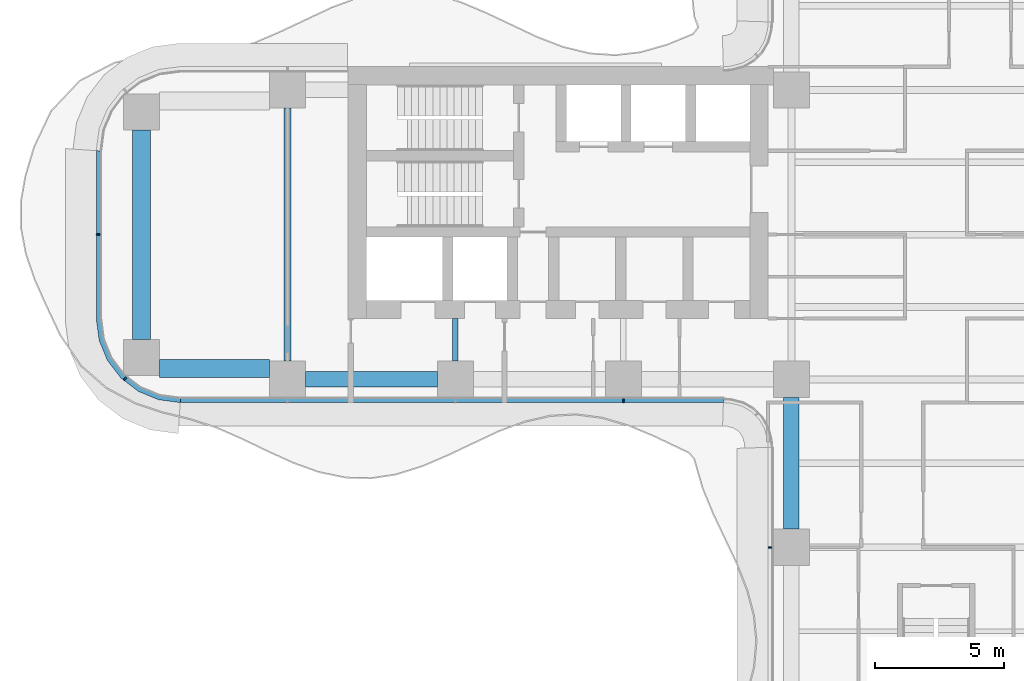
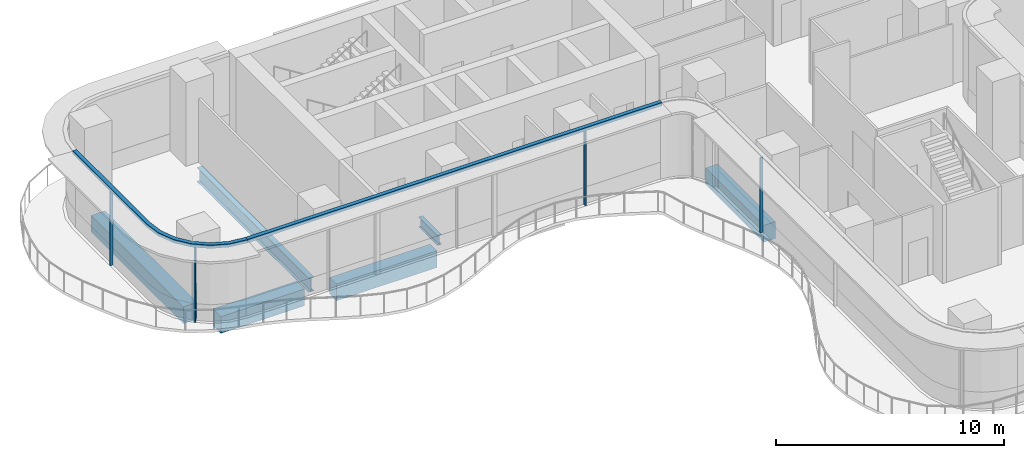
# One storey, part 3 of 22: 6 beams, 6 members, 3 elements without a shape of their own.
"""IFC4 building model written with IfcOpenShell, lengths in metres."""

from ifc_helpers import new_model, si_unit, direction, frame, origin, origin_2d, place, context, subcontext, project, spatial, polyline, rectangle, i_section, outline, extrude, source, transform, mapped, material, layer, layer_set, material_profile, profile_set, type_object, element, aggregate, save


model = new_model("IFC4")

# Units and contexts
model_context = context("Model", 3, precision=1e-05, world=origin(), true_north=direction((0.0, 1.0)))
body_context = subcontext(model_context, "Body", "Model", "MODEL_VIEW")
ifc_project = project(units=[si_unit("LENGTHUNIT", "METRE"), si_unit("AREAUNIT", "SQUARE_METRE"), si_unit("VOLUMEUNIT", "CUBIC_METRE"), si_unit("PLANEANGLEUNIT", "RADIAN"), si_unit("MASSUNIT", "GRAM", prefix="KILO")], contexts=[model_context])

# Site, building, storey
site_placement = place(None, origin())
site = spatial("IfcSite", under=ifc_project, at=site_placement, CompositionType="ELEMENT")
building_placement = place(site_placement, origin())
building = spatial("IfcBuilding", under=site, at=building_placement, Name="Trellis Farm Tower", CompositionType="ELEMENT")
storey_placement = place(building_placement, frame((0.0, 0.0, 88.0)))
storey = spatial("IfcBuildingStorey", under=building, at=storey_placement, Name="L18", CompositionType="ELEMENT", Elevation=88.0)

# Beams
ifc_material_1 = material(Name="Concrete C60/75", Category="concrete")
ifc_material_profile_1 = material_profile(ifc_material_1, rectangle(XDim=0.60009765625, YDim=0.89990234375, at=origin_2d()), Name="RC spandrel beam 600x900 C60/75")
ifc_profile_set_1 = profile_set([ifc_material_profile_1], Name="Concrete C60/75")
beam_type_1 = type_object("IfcBeamType", Name="RC spandrel beam 600x900 C60/75", PredefinedType="SPANDREL", material=ifc_profile_set_1)
shared_shape_1 = source(origin(), body_context, "Body", "SweptSolid", [
    extrude(rectangle(XDim=0.60009765625, YDim=0.89990234375, at=origin_2d()), origin(), (0.0, 0.0, 1.0), 5.099853515625),
])
for number, where, z_axis, x_axis, name in (
    (1, (-24.39990234375, -5.60009765625, -0.699951171875), (1.0, 0.0, 0.0), (0.0, 1.0, 0.0), "Girder"),
    (2, (-5.60009765625, -11.39990234375, -0.699951171875), (0.0, 1.0, 0.0), (-1.0, 0.0, 0.0), "Girder"),
):
    element("IfcBeam", number, at=place(storey_placement, frame(where, z_axis=z_axis, x_axis=x_axis)), inside=storey, type_object=beam_type_1, Name=name, PredefinedType="SPANDREL", context=body_context, shape_type="MappedRepresentation", body=[
        mapped(shared_shape_1, transform((0.0, 0.0, 0.0))),
    ])
ifc_material_2 = material(Name="Steel S355", Category="steel")
ifc_material_profile_2 = material_profile(ifc_material_2, i_section(OverallWidth=0.2666015625, OverallDepth=0.76220703125, WebThickness=0.014404296875, FlangeThickness=0.021484375, FilletRadius=0.0166015625, at=origin_2d()), Name="UB 762x267x173")
ifc_profile_set_2 = profile_set([ifc_material_profile_2], Name="Steel S355")
beam_type_2 = type_object("IfcBeamType", Name="UB 762x267x173", PredefinedType="BEAM", material=ifc_profile_set_2)
shared_shape_2 = source(origin(), body_context, "Body", "SweptSolid", [
    extrude(i_section(OverallWidth=0.2666015625, OverallDepth=0.76220703125, WebThickness=0.014404296875, FlangeThickness=0.021484375, FilletRadius=0.0166015625, at=origin_2d()), origin(), (0.0, 0.0, 1.0), 9.7998046875),
])
beam_1_placement = place(storey_placement, frame((-25.10009765625, -4.89990234375, -0.631103515625), z_axis=(0.0, 1.0, 0.0), x_axis=(-1.0, 0.0, 0.0)))
element("IfcBeam", 3, at=beam_1_placement, inside=storey, type_object=beam_type_2, Name="Girder", PredefinedType="BEAM", context=body_context, shape_type="MappedRepresentation", body=[
    mapped(shared_shape_2, transform((0.0, 0.0, 0.0))),
])
ifc_material_profile_3 = material_profile(ifc_material_1, rectangle(XDim=0.699951171875, YDim=0.89990234375, at=origin_2d()), Name="RC spandrel beam 700x900 C60/75")
ifc_profile_set_3 = profile_set([ifc_material_profile_3], Name="Concrete C60/75")
beam_type_3 = type_object("IfcBeamType", Name="RC spandrel beam 700x900 C60/75", PredefinedType="SPANDREL", material=ifc_profile_set_3)
shared_shape_3 = source(origin(), body_context, "Body", "SweptSolid", [
    extrude(rectangle(XDim=0.699951171875, YDim=0.89990234375, at=origin_2d()), origin(), (0.0, 0.0, 1.0), 4.25),
])
beam_2_placement = place(storey_placement, frame((-30.050048828125, -5.175048828125, -0.699951171875), z_axis=(1.0, 0.0, 0.0), x_axis=(0.0, 1.0, 0.0)))
element("IfcBeam", 4, at=beam_2_placement, inside=storey, type_object=beam_type_3, Name="Girder", PredefinedType="SPANDREL", context=body_context, shape_type="MappedRepresentation", body=[
    mapped(shared_shape_3, transform((0.0, 0.0, 0.0))),
])
shared_shape_4 = source(origin(), body_context, "Body", "SweptSolid", [
    extrude(rectangle(XDim=0.699951171875, YDim=0.89990234375, at=origin_2d()), origin(), (0.0, 0.0, 1.0), 8.10009765625),
])
beam_3_placement = place(storey_placement, frame((-30.75, -4.050048828125, -0.699951171875), z_axis=(0.0, 1.0, 0.0), x_axis=(-1.0, 0.0, 0.0)))
element("IfcBeam", 5, at=beam_3_placement, inside=storey, type_object=beam_type_3, Name="Girder", PredefinedType="SPANDREL", context=body_context, shape_type="MappedRepresentation", body=[
    mapped(shared_shape_4, transform((0.0, 0.0, 0.0))),
])
ifc_material_profile_4 = material_profile(ifc_material_2, i_section(OverallWidth=0.209228515625, OverallDepth=0.533203125, WebThickness=0.010009765625, FlangeThickness=0.015625, FilletRadius=0.0126953125, at=origin_2d()), Name="UB 533x210x92")
ifc_profile_set_4 = profile_set([ifc_material_profile_4], Name="Steel S355")
beam_type_4 = type_object("IfcBeamType", Name="UB 533x210x92", PredefinedType="BEAM", material=ifc_profile_set_4)
shared_shape_5 = source(origin(), body_context, "Body", "SweptSolid", [
    extrude(i_section(OverallWidth=0.209228515625, OverallDepth=0.533203125, WebThickness=0.010009765625, FlangeThickness=0.015625, FilletRadius=0.0126953125, at=origin_2d()), origin(), (0.0, 0.0, 1.0), 1.64990234375),
])
beam_4_placement = place(storey_placement, frame((-18.60009765625, -4.89990234375, -0.5166015625), z_axis=(0.0, 1.0, 0.0), x_axis=(-1.0, 0.0, 0.0)))
element("IfcBeam", 6, at=beam_4_placement, inside=storey, type_object=beam_type_4, Name="Girder", PredefinedType="BEAM", context=body_context, shape_type="MappedRepresentation", body=[
    mapped(shared_shape_5, transform((0.0, 0.0, 0.0))),
])

# Curtain wall, member
ifc_material_3 = material(Name="Aluminium and glass curtain wall", Category="aluminium")
ifc_layer_1 = layer(ifc_material_3, 0.18994140625)
ifc_layer_set_1 = layer_set([ifc_layer_1], Name="RIBBON CURTAIN WALL CW1")
curtain_wall_type = type_object("IfcCurtainWallType", Name="RIBBON CURTAIN WALL CW1", PredefinedType="NOTDEFINED", material=ifc_layer_set_1)
placement_1 = place(storey_placement, origin())
curtain_wall_1 = element("IfcCurtainWall", 7, at=placement_1, inside=storey, type_object=curtain_wall_type, Name="CW1 001", PredefinedType="NOTDEFINED")
ifc_material_4 = material(Name="Aluminium extrusion 6063-T6", Category="aluminium")
ifc_layer_2 = layer(ifc_material_4, 0.199951171875)
ifc_layer_set_2 = layer_set([ifc_layer_2], Name="Aluminium extrusion 6063-T6")
member_type_1 = type_object("IfcMemberType", Name="CW1 TRANSOM 200x180", PredefinedType="USERDEFINED", material=ifc_layer_set_2)
shared_shape_6 = source(origin(), body_context, "Body", "SweptSolid", [
    extrude(outline(polyline([(-29.25, -6.5), (-8.2314453125, -6.5), (-8.224853515625, -6.300048828125), (-29.23681640625, -6.300048828125), (-29.25, -6.5)])), origin(), (0.0, 0.0, 1.0), 0.179931640625),
])
placement_2 = place(storey_placement, frame((0.0, 0.0, 4.02001953125)))
member_1 = element("IfcMember", 8, at=placement_2, type_object=member_type_1, Name="TR1 001", ObjectType="TRANSOM", PredefinedType="USERDEFINED", context=body_context, shape_type="MappedRepresentation", body=[
    mapped(shared_shape_6, transform((0.0, 0.0, 0.0))),
])

curtain_wall_2 = element("IfcCurtainWall", 9, at=placement_1, inside=storey, type_object=curtain_wall_type, Name="CW1 013", PredefinedType="NOTDEFINED")
shared_shape_7 = source(origin(), body_context, "Body", "SweptSolid", [
    extrude(outline(polyline([(-32.5, 3.25), (-32.5, -3.25), (-32.38916015625, -4.091064453125), (-32.064697265625, -4.875), (-31.548095703125, -5.548095703125), (-30.875, -6.064697265625), (-30.091064453125, -6.38916015625), (-29.25, -6.5), (-29.23681640625, -6.300048828125), (-30.0390625, -6.1943359375), (-30.774169921875, -5.889892578125), (-31.405517578125, -5.405517578125), (-31.889892578125, -4.774169921875), (-32.1943359375, -4.0390625), (-32.300048828125, -3.23681640625), (-32.300048828125, 3.23681640625), (-32.5, 3.25)])), origin(), (0.0, 0.0, 1.0), 0.179931640625),
])
member_2 = element("IfcMember", 10, at=placement_2, type_object=member_type_1, Name="TR1 013", ObjectType="TRANSOM", PredefinedType="USERDEFINED", context=body_context, shape_type="MappedRepresentation", body=[
    mapped(shared_shape_7, transform((0.0, 0.0, 0.0))),
])

# Member
ifc_material_profile_5 = material_profile(ifc_material_4, rectangle(XDim=0.06005859375, YDim=0.14990234375, at=origin_2d()), Name="MULLION 60x150")
ifc_profile_set_5 = profile_set([ifc_material_profile_5], Name="Aluminium extrusion 6063-T6")
member_type_2 = type_object("IfcMemberType", Name="CW1 MULLION 60x150", PredefinedType="MULLION", material=ifc_profile_set_5)
shared_shape_8 = source(origin(), body_context, "Body", "SweptSolid", [
    extrude(rectangle(XDim=0.06005859375, YDim=0.14990234375, at=origin_2d()), origin(), (0.0, 0.0, 1.0), 4.02001953125),
])
member_3_placement = place(storey_placement, frame((-12.10009765625, -6.425048828125, 0.0), z_axis=(0.0, 0.0, 1.0), x_axis=(1.0, 0.0, 0.0)))
member_3 = element("IfcMember", 11, at=member_3_placement, type_object=member_type_2, Name="MU1 001-03", PredefinedType="MULLION", context=body_context, shape_type="MappedRepresentation", body=[
    mapped(shared_shape_8, transform((0.0, 0.0, 0.0))),
])

aggregate(curtain_wall_1, [member_3, member_1])

# Curtain wall, member
curtain_wall_3 = element("IfcCurtainWall", 12, at=placement_1, inside=storey, type_object=curtain_wall_type, Name="CW1 002", PredefinedType="NOTDEFINED")
member_4_placement = place(storey_placement, frame((-6.425048828125, -12.10009765625, 0.0), z_axis=(0.0, 0.0, 1.0), x_axis=(0.0, -1.0, 0.0)))
member_4 = element("IfcMember", 13, at=member_4_placement, type_object=member_type_2, Name="MU1 002-01", PredefinedType="MULLION", context=body_context, shape_type="MappedRepresentation", body=[
    mapped(shared_shape_8, transform((0.0, 0.0, 0.0))),
])
aggregate(curtain_wall_3, [member_4])

# Member
member_5_placement = place(storey_placement, frame((-32.425048828125, 0.0, 0.0), z_axis=(0.0, 0.0, 1.0), x_axis=(0.0, -1.0, 0.0)))
member_5 = element("IfcMember", 14, at=member_5_placement, type_object=member_type_2, Name="MU1 013-01", PredefinedType="MULLION", context=body_context, shape_type="MappedRepresentation", body=[
    mapped(shared_shape_8, transform((0.0, 0.0, 0.0))),
])

member_6_placement = place(storey_placement, frame((-31.385498046875, -5.578369140625, 0.0), z_axis=(0.0, 0.0, 1.0), x_axis=(0.793353340291, -0.608761429009, 0.0)))
member_6 = element("IfcMember", 15, at=member_6_placement, type_object=member_type_2, Name="MU1 013-02", PredefinedType="MULLION", context=body_context, shape_type="MappedRepresentation", body=[
    mapped(shared_shape_8, transform((0.0, 0.0, 0.0))),
])

aggregate(curtain_wall_2, [member_5, member_6, member_2])

save(model, "model.ifc")
